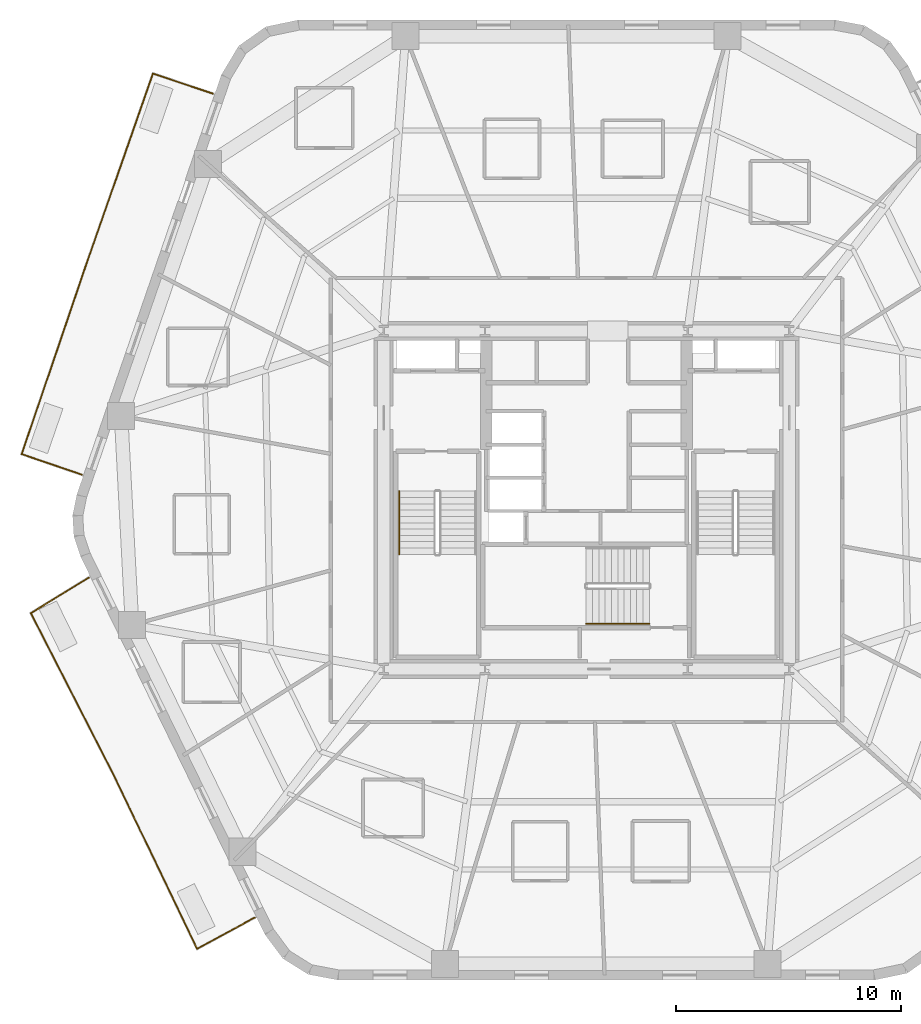
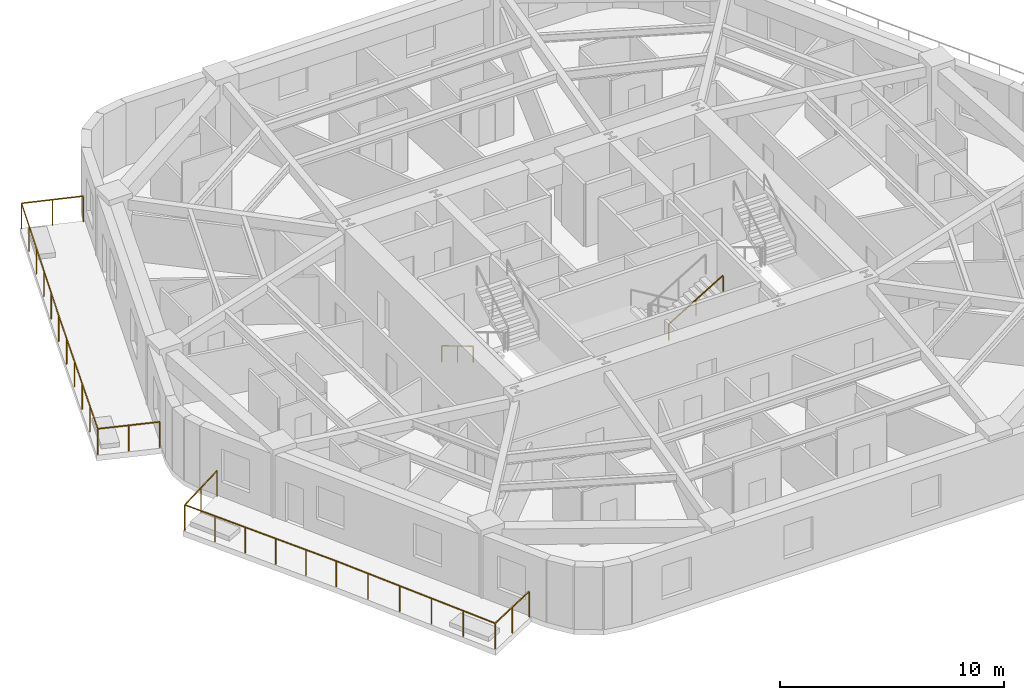
# One storey, part 8 of 10: 4 railings.
"""IFC4 building model written with IfcOpenShell, lengths in metres."""

from ifc_helpers import new_model, si_unit, direction, frame, origin, origin_2d, place, context, subcontext, project, spatial, rectangle, extrude, material, layer, layer_set, type_object, element, save


model = new_model("IFC4")

# Units and contexts
model_context = context("Model", 3, precision=1e-05, world=origin(), true_north=direction((0.0, 1.0)))
body_context = subcontext(model_context, "Body", "Model", "MODEL_VIEW")
ifc_project = project(units=[si_unit("LENGTHUNIT", "METRE"), si_unit("AREAUNIT", "SQUARE_METRE"), si_unit("VOLUMEUNIT", "CUBIC_METRE"), si_unit("PLANEANGLEUNIT", "RADIAN"), si_unit("MASSUNIT", "GRAM", prefix="KILO")], contexts=[model_context])

# Site, building, storey
site_placement = place(None, origin())
site = spatial("IfcSite", under=ifc_project, at=site_placement, CompositionType="ELEMENT")
building_placement = place(site_placement, origin())
building = spatial("IfcBuilding", under=site, at=building_placement, Name="Kilnhurst Terrace Hotel", CompositionType="ELEMENT")
storey_placement = place(building_placement, frame((0.0, 0.0, 113.60009765625)))
storey = spatial("IfcBuildingStorey", under=building, at=storey_placement, Name="L27", CompositionType="ELEMENT", Elevation=113.60009765625)

# Railings
ifc_material_1 = material(Name="Laminated SentryGlas and Stainless Steel AISI 316L Balustrade", Category="steel")
ifc_layer_1 = layer(ifc_material_1, 0.070068359375, Name="Laminated SentryGlas and Stainless Steel AISI 316L Balustrade")
ifc_layer_set_1 = layer_set([ifc_layer_1], Name="Laminated SentryGlas and Stainless Steel AISI 316L Balustrade")
railing_type_1 = type_object("IfcRailingType", Name="RLG-BAL-1420", PredefinedType="BALUSTRADE", material=ifc_layer_set_1)
railing_1_placement = place(storey_placement, frame((-22.394287109375, 1.123779296875, 0.0)))
element("IfcRailing", 1, at=railing_1_placement, inside=storey, type_object=railing_type_1, Name="L27 Exterior Terrace Guardrail BAL-L2A.1", PredefinedType="BALUSTRADE", context=body_context, shape_type="SweptSolid", body=[
    extrude(rectangle(XDim=0.048095703125, YDim=0.048095703125, at=origin_2d()), frame((0.0, 0.0, 1.39599609375), z_axis=(-0.945999088216, 0.324169284625, 0.0), x_axis=(-0.324169284625, -0.945999088216, 0.0)), (0.0, 0.0, 1.0), 2.818115234375),
    extrude(rectangle(XDim=0.048095703125, YDim=0.048095703125, at=origin_2d()), frame((-2.666015625, 0.91357421875, 1.39599609375), z_axis=(0.322236749626, 0.946659113509, 0.0), x_axis=(-0.946659113509, 0.322236749626, 0.0)), (0.0, 0.0, 1.0), 8.94921875),
    extrude(rectangle(XDim=0.048095703125, YDim=0.048095703125, at=origin_2d()), frame((0.2177734375, 9.385498046875, 1.39599609375), z_axis=(0.329867270016, 0.94402732173, 0.0), x_axis=(-0.94402732173, 0.329867270016, 0.0)), (0.0, 0.0, 1.0), 8.9140625),
    extrude(rectangle(XDim=0.048095703125, YDim=0.048095703125, at=origin_2d()), frame((3.158203125, 17.800537109375, 1.39599609375), z_axis=(0.948125796951, -0.317895380834, 0.0), x_axis=(0.317895380834, 0.948125796951, 0.0)), (0.0, 0.0, 1.0), 2.81005859375),
    extrude(rectangle(XDim=0.0419921875, YDim=0.0419921875, at=origin_2d()), origin(), (0.0, 0.0, 1.0), 1.371826171875),
    extrude(rectangle(XDim=0.0419921875, YDim=0.0419921875, at=origin_2d()), frame((-1.3330078125, 0.456787109375, 0.0)), (0.0, 0.0, 1.0), 1.371826171875),
    extrude(rectangle(XDim=0.0419921875, YDim=0.0419921875, at=origin_2d()), frame((-2.666015625, 0.91357421875, 0.0)), (0.0, 0.0, 1.0), 1.371826171875),
    extrude(rectangle(XDim=0.0419921875, YDim=0.0419921875, at=origin_2d()), frame((-2.08935546875, 2.60791015625, 0.0)), (0.0, 0.0, 1.0), 1.371826171875),
    extrude(rectangle(XDim=0.0419921875, YDim=0.0419921875, at=origin_2d()), frame((-1.512451171875, 4.30224609375, 0.0)), (0.0, 0.0, 1.0), 1.371826171875),
    extrude(rectangle(XDim=0.0419921875, YDim=0.0419921875, at=origin_2d()), frame((-0.935791015625, 5.996826171875, 0.0)), (0.0, 0.0, 1.0), 1.371826171875),
    extrude(rectangle(XDim=0.0419921875, YDim=0.0419921875, at=origin_2d()), frame((-0.35888671875, 7.691162109375, 0.0)), (0.0, 0.0, 1.0), 1.371826171875),
    extrude(rectangle(XDim=0.0419921875, YDim=0.0419921875, at=origin_2d()), frame((0.2177734375, 9.385498046875, 0.0)), (0.0, 0.0, 1.0), 1.371826171875),
    extrude(rectangle(XDim=0.0419921875, YDim=0.0419921875, at=origin_2d()), frame((0.805908203125, 11.068603515625, 0.0)), (0.0, 0.0, 1.0), 1.371826171875),
    extrude(rectangle(XDim=0.0419921875, YDim=0.0419921875, at=origin_2d()), frame((1.39404296875, 12.75146484375, 0.0)), (0.0, 0.0, 1.0), 1.371826171875),
    extrude(rectangle(XDim=0.0419921875, YDim=0.0419921875, at=origin_2d()), frame((1.98193359375, 14.4345703125, 0.0)), (0.0, 0.0, 1.0), 1.371826171875),
    extrude(rectangle(XDim=0.0419921875, YDim=0.0419921875, at=origin_2d()), frame((2.570068359375, 16.117431640625, 0.0)), (0.0, 0.0, 1.0), 1.371826171875),
    extrude(rectangle(XDim=0.0419921875, YDim=0.0419921875, at=origin_2d()), frame((3.158203125, 17.800537109375, 0.0)), (0.0, 0.0, 1.0), 1.371826171875),
    extrude(rectangle(XDim=0.0419921875, YDim=0.0419921875, at=origin_2d()), frame((4.490234375, 17.35400390625, 0.0)), (0.0, 0.0, 1.0), 1.371826171875),
    extrude(rectangle(XDim=0.0419921875, YDim=0.0419921875, at=origin_2d()), frame((5.822509765625, 16.9072265625, 0.0)), (0.0, 0.0, 1.0), 1.371826171875),
])
railing_2_placement = place(storey_placement, frame((-14.722900390625, -18.529541015625, 0.0)))
element("IfcRailing", 2, at=railing_2_placement, inside=storey, type_object=railing_type_1, Name="L27 Exterior Terrace Guardrail BAL-L2B.1", PredefinedType="BALUSTRADE", context=body_context, shape_type="SweptSolid", body=[
    extrude(rectangle(XDim=0.048095703125, YDim=0.048095703125, at=origin_2d()), frame((0.0, 0.0, 1.39599609375), z_axis=(-0.878553207741, -0.477644492451, 0.0), x_axis=(0.477644492451, -0.878553207741, 0.0)), (0.0, 0.0, 1.0), 2.90478515625),
    extrude(rectangle(XDim=0.048095703125, YDim=0.048095703125, at=origin_2d()), frame((-2.552001953125, -1.387451171875, 1.39599609375), z_axis=(-0.43291229924, 0.901436043858, 0.0), x_axis=(-0.901436043858, -0.43291229924, 0.0)), (0.0, 0.0, 1.0), 8.583251953125),
    extrude(rectangle(XDim=0.048095703125, YDim=0.048095703125, at=origin_2d()), frame((-6.267822265625, 6.349853515625, 1.39599609375), z_axis=(-0.514495755428, 0.857492925713, 0.0), x_axis=(-0.857492925713, -0.514495755428, 0.0)), (0.0, 0.0, 1.0), 0.00146484375),
    extrude(rectangle(XDim=0.048095703125, YDim=0.048095703125, at=origin_2d()), frame((-6.2685546875, 6.35107421875, 1.39599609375), z_axis=(-0.455744437697, 0.890110671494, 0.0), x_axis=(-0.890110671494, -0.455744437697, 0.0)), (0.0, 0.0, 1.0), 8.039794921875),
    extrude(rectangle(XDim=0.048095703125, YDim=0.048095703125, at=origin_2d()), frame((-9.9326171875, 13.50732421875, 1.39599609375), z_axis=(0.85191630472, 0.523677963784, 0.0), x_axis=(-0.523677963784, 0.85191630472, 0.0)), (0.0, 0.0, 1.0), 3.0205078125),
    extrude(rectangle(XDim=0.0419921875, YDim=0.0419921875, at=origin_2d()), origin(), (0.0, 0.0, 1.0), 1.371826171875),
    extrude(rectangle(XDim=0.0419921875, YDim=0.0419921875, at=origin_2d()), frame((-1.27587890625, -0.69384765625, 0.0)), (0.0, 0.0, 1.0), 1.371826171875),
    extrude(rectangle(XDim=0.0419921875, YDim=0.0419921875, at=origin_2d()), frame((-2.552001953125, -1.387451171875, 0.0)), (0.0, 0.0, 1.0), 1.371826171875),
    extrude(rectangle(XDim=0.0419921875, YDim=0.0419921875, at=origin_2d()), frame((-3.295166015625, 0.159912109375, 0.0)), (0.0, 0.0, 1.0), 1.371826171875),
    extrude(rectangle(XDim=0.0419921875, YDim=0.0419921875, at=origin_2d()), frame((-4.038330078125, 1.70751953125, 0.0)), (0.0, 0.0, 1.0), 1.371826171875),
    extrude(rectangle(XDim=0.0419921875, YDim=0.0419921875, at=origin_2d()), frame((-4.781494140625, 3.2548828125, 0.0)), (0.0, 0.0, 1.0), 1.371826171875),
    extrude(rectangle(XDim=0.0419921875, YDim=0.0419921875, at=origin_2d()), frame((-5.524658203125, 4.802490234375, 0.0)), (0.0, 0.0, 1.0), 1.371826171875),
    extrude(rectangle(XDim=0.0419921875, YDim=0.0419921875, at=origin_2d()), frame((-6.267822265625, 6.349853515625, 0.0)), (0.0, 0.0, 1.0), 1.371826171875),
    extrude(rectangle(XDim=0.0419921875, YDim=0.0419921875, at=origin_2d()), frame((-6.2685546875, 6.35107421875, 0.0)), (0.0, 0.0, 1.0), 1.371826171875),
    extrude(rectangle(XDim=0.0419921875, YDim=0.0419921875, at=origin_2d()), frame((-7.00146484375, 7.7822265625, 0.0)), (0.0, 0.0, 1.0), 1.371826171875),
    extrude(rectangle(XDim=0.0419921875, YDim=0.0419921875, at=origin_2d()), frame((-7.734130859375, 9.213623046875, 0.0)), (0.0, 0.0, 1.0), 1.371826171875),
    extrude(rectangle(XDim=0.0419921875, YDim=0.0419921875, at=origin_2d()), frame((-8.467041015625, 10.644775390625, 0.0)), (0.0, 0.0, 1.0), 1.371826171875),
    extrude(rectangle(XDim=0.0419921875, YDim=0.0419921875, at=origin_2d()), frame((-9.19970703125, 12.076171875, 0.0)), (0.0, 0.0, 1.0), 1.371826171875),
    extrude(rectangle(XDim=0.0419921875, YDim=0.0419921875, at=origin_2d()), frame((-9.9326171875, 13.50732421875, 0.0)), (0.0, 0.0, 1.0), 1.371826171875),
    extrude(rectangle(XDim=0.0419921875, YDim=0.0419921875, at=origin_2d()), frame((-8.64599609375, 14.29833984375, 0.0)), (0.0, 0.0, 1.0), 1.371826171875),
    extrude(rectangle(XDim=0.0419921875, YDim=0.0419921875, at=origin_2d()), frame((-7.359375, 15.089111328125, 0.0)), (0.0, 0.0, 1.0), 1.371826171875),
])
ifc_material_2 = material(Name="Brushed Stainless Steel AISI 304", Category="steel")
ifc_layer_2 = layer(ifc_material_2, 0.048095703125, Name="Brushed Stainless Steel AISI 304")
ifc_layer_set_2 = layer_set([ifc_layer_2], Name="Brushed Stainless Steel AISI 304")
railing_type_2 = type_object("IfcRailingType", Name="RLG-ST-HRL-900", PredefinedType="HANDRAIL", material=ifc_layer_set_2)
railing_3_placement = place(storey_placement, frame((-8.300048828125, 0.389892578125, 0.16796875)))
element("IfcRailing", 3, at=railing_3_placement, inside=storey, type_object=railing_type_2, Name="L27 ST-1 stair handrail 1", PredefinedType="HANDRAIL", context=body_context, shape_type="SweptSolid", body=[
    extrude(rectangle(XDim=0.048095703125, YDim=0.048095703125, at=origin_2d()), frame((0.0, 0.0, 0.8759765625), z_axis=(0.0, -0.857222391501, 0.514946377315), x_axis=(1.0, 0.0, 0.0)), (0.0, 0.0, 1.0), 3.26611328125),
    extrude(rectangle(XDim=0.0419921875, YDim=0.0419921875, at=origin_2d()), origin(), (0.0, 0.0, 1.0), 0.851806640625),
    extrude(rectangle(XDim=0.0419921875, YDim=0.0419921875, at=origin_2d()), frame((0.0, -1.39990234375, 0.8408203125)), (0.0, 0.0, 1.0), 0.851806640625),
    extrude(rectangle(XDim=0.0419921875, YDim=0.0419921875, at=origin_2d()), frame((0.0, -2.7998046875, 1.681884765625)), (0.0, 0.0, 1.0), 0.851806640625),
])
railing_4_placement = place(storey_placement, frame((-0.010009765625, -5.5, 2.01806640625)))
element("IfcRailing", 4, at=railing_4_placement, inside=storey, type_object=railing_type_2, Name="L27 ST-3 stair handrail 2", PredefinedType="HANDRAIL", context=body_context, shape_type="SweptSolid", body=[
    extrude(rectangle(XDim=0.048095703125, YDim=0.048095703125, at=origin_2d()), frame((0.0, 0.0, 0.8759765625), z_axis=(0.857242210791, 0.0, 0.514913383045), x_axis=(0.0, 1.0, 0.0)), (0.0, 0.0, 1.0), 3.266357421875),
    extrude(rectangle(XDim=0.0419921875, YDim=0.0419921875, at=origin_2d()), origin(), (0.0, 0.0, 1.0), 0.851806640625),
    extrude(rectangle(XDim=0.0419921875, YDim=0.0419921875, at=origin_2d()), frame((1.39990234375, 0.0, 0.8408203125)), (0.0, 0.0, 1.0), 0.851806640625),
    extrude(rectangle(XDim=0.0419921875, YDim=0.0419921875, at=origin_2d()), frame((2.800048828125, 0.0, 1.681884765625)), (0.0, 0.0, 1.0), 0.851806640625),
])

save(model, "model.ifc")
